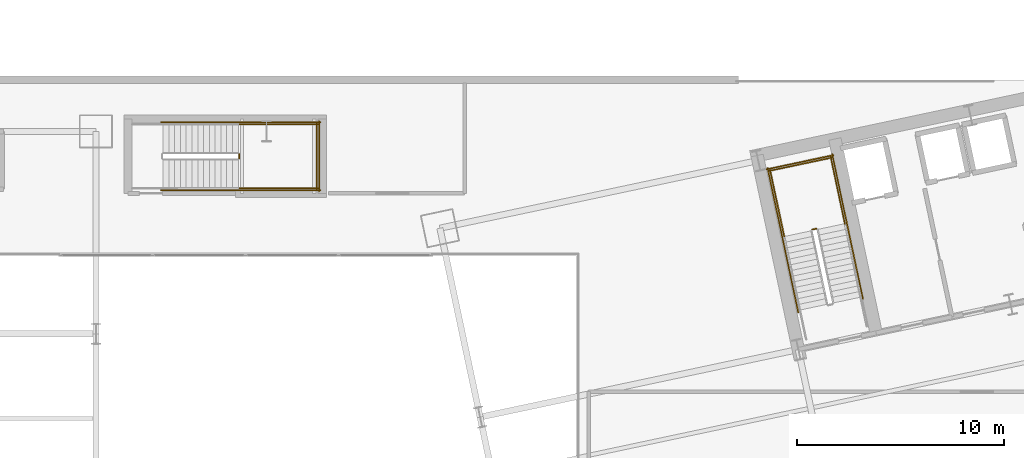
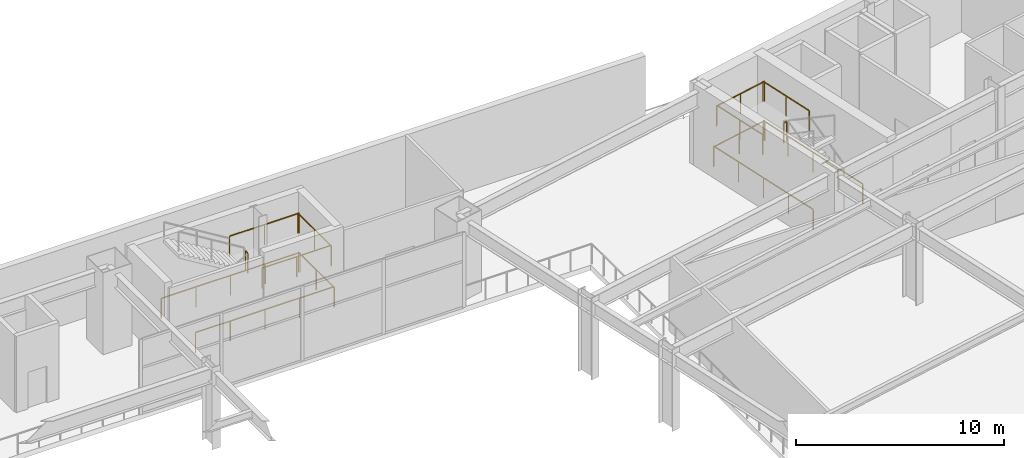
# One storey, part 29 of 30: 14 railings.
"""IFC4 building model written with IfcOpenShell, lengths in metres."""

from ifc_helpers import new_model, si_unit, direction, frame, origin, origin_2d, place, context, subcontext, project, spatial, rectangle, extrude, material, type_object, element, save


model = new_model("IFC4")

# Units and contexts
model_context = context("Model", 3, precision=1e-05, world=origin(), true_north=direction((0.0, 1.0)))
body_context = subcontext(model_context, "Body", "Model", "MODEL_VIEW")
ifc_project = project(units=[si_unit("LENGTHUNIT", "METRE"), si_unit("AREAUNIT", "SQUARE_METRE"), si_unit("VOLUMEUNIT", "CUBIC_METRE"), si_unit("PLANEANGLEUNIT", "RADIAN"), si_unit("MASSUNIT", "GRAM", prefix="KILO")], contexts=[model_context])

# Site, building, storey
site_placement = place(None, origin())
site = spatial("IfcSite", under=ifc_project, at=site_placement, CompositionType="ELEMENT")
building_placement = place(site_placement, origin())
building = spatial("IfcBuilding", under=site, at=building_placement, Name="Haevon Station Towers", CompositionType="ELEMENT")
storey_placement = place(building_placement, frame((0.0, 0.0, 15.60009765625)))
storey = spatial("IfcBuildingStorey", under=building, at=storey_placement, Name="L03", CompositionType="ELEMENT", Elevation=15.60009765625)

# Railings
ifc_material = material(Name="Steel S355", Category="steel")
railing_type = type_object("IfcRailingType", Name="GRD-STR1200", PredefinedType="GUARDRAIL", material=ifc_material)
railing_1_placement = place(storey_placement, frame((99.625244140625, 43.291748046875, 2.39990234375)))
element("IfcRailing", 1, at=railing_1_placement, inside=storey, type_object=railing_type, Name="L03 ST3 Stair Guard 2", PredefinedType="GUARDRAIL", context=body_context, shape_type="SweptSolid", body=[
    extrude(rectangle(XDim=0.048095703125, YDim=0.048095703125, at=origin_2d()), frame((0.0, 0.0, 1.17578125), z_axis=(-0.978211583308, -0.207610448392, 0.0), x_axis=(0.207610448392, -0.978211583308, 0.0)), (0.0, 0.0, 1.0), 0.199951171875),
    extrude(rectangle(XDim=0.0419921875, YDim=0.0419921875, at=origin_2d()), origin(), (0.0, 0.0, 1.0), 1.15185546875),
    extrude(rectangle(XDim=0.0419921875, YDim=0.0419921875, at=origin_2d()), frame((-0.195556640625, -0.04150390625, 0.0)), (0.0, 0.0, 1.0), 1.15185546875),
])
railing_2_placement = place(storey_placement, frame((101.005126953125, 43.533935546875, 2.39990234375)))
element("IfcRailing", 2, at=railing_2_placement, inside=storey, type_object=railing_type, Name="L03 ST3 Stair Guard 3", PredefinedType="GUARDRAIL", context=body_context, shape_type="SweptSolid", body=[
    extrude(rectangle(XDim=0.048095703125, YDim=0.048095703125, at=origin_2d()), frame((0.0, 0.0, 1.17578125), z_axis=(-0.207931975805, 0.978143288807, 0.0), x_axis=(-0.978143288807, -0.207931975805, 0.0)), (0.0, 0.0, 1.0), 3.309814453125),
    extrude(rectangle(XDim=0.0419921875, YDim=0.0419921875, at=origin_2d()), origin(), (0.0, 0.0, 1.0), 1.15185546875),
    extrude(rectangle(XDim=0.0419921875, YDim=0.0419921875, at=origin_2d()), frame((-0.34423828125, 1.61865234375, 0.0)), (0.0, 0.0, 1.0), 1.15185546875),
    extrude(rectangle(XDim=0.0419921875, YDim=0.0419921875, at=origin_2d()), frame((-0.688232421875, 3.237548828125, 0.0)), (0.0, 0.0, 1.0), 1.15185546875),
])
railing_3_placement = place(storey_placement, frame((98.070556640625, 42.91015625, 2.39990234375)))
element("IfcRailing", 3, at=railing_3_placement, inside=storey, type_object=railing_type, Name="L03 ST3 Stair Guard 4", PredefinedType="GUARDRAIL", context=body_context, shape_type="SweptSolid", body=[
    extrude(rectangle(XDim=0.048095703125, YDim=0.048095703125, at=origin_2d()), frame((0.0, 0.0, 1.17578125), z_axis=(-0.207846406048, 0.978161475163, 0.0), x_axis=(-0.978161475163, -0.207846406048, 0.0)), (0.0, 0.0, 1.0), 3.31005859375),
    extrude(rectangle(XDim=0.0419921875, YDim=0.0419921875, at=origin_2d()), origin(), (0.0, 0.0, 1.0), 1.15185546875),
    extrude(rectangle(XDim=0.0419921875, YDim=0.0419921875, at=origin_2d()), frame((-0.343994140625, 1.618896484375, 0.0)), (0.0, 0.0, 1.0), 1.15185546875),
    extrude(rectangle(XDim=0.0419921875, YDim=0.0419921875, at=origin_2d()), frame((-0.68798828125, 3.23779296875, 0.0)), (0.0, 0.0, 1.0), 1.15185546875),
])
railing_4_placement = place(storey_placement, frame((100.376220703125, 46.733154296875, 2.39990234375)))
element("IfcRailing", 4, at=railing_4_placement, inside=storey, type_object=railing_type, Name="L03 ST3 Stair Guard 5", PredefinedType="GUARDRAIL", context=body_context, shape_type="SweptSolid", body=[
    extrude(rectangle(XDim=0.048095703125, YDim=0.048095703125, at=origin_2d()), frame((0.0, 0.0, 1.17578125), z_axis=(-0.978146839882, -0.207915270313, 0.0), x_axis=(0.207915270313, -0.978146839882, 0.0)), (0.0, 0.0, 1.0), 3.099853515625),
    extrude(rectangle(XDim=0.0419921875, YDim=0.0419921875, at=origin_2d()), origin(), (0.0, 0.0, 1.0), 1.15185546875),
    extrude(rectangle(XDim=0.0419921875, YDim=0.0419921875, at=origin_2d()), frame((-1.51611328125, -0.322265625, 0.0)), (0.0, 0.0, 1.0), 1.15185546875),
    extrude(rectangle(XDim=0.0419921875, YDim=0.0419921875, at=origin_2d()), frame((-3.0322265625, -0.64453125, 0.0)), (0.0, 0.0, 1.0), 1.15185546875),
])
railing_5_placement = place(storey_placement, frame((101.88037109375, 39.896484375, 0.0)))
element("IfcRailing", 5, at=railing_5_placement, inside=storey, type_object=railing_type, Name="L03 ST3 Stair Guard 10", PredefinedType="GUARDRAIL", context=body_context, shape_type="SweptSolid", body=[
    extrude(rectangle(XDim=0.048095703125, YDim=0.048095703125, at=origin_2d()), frame((0.0, 0.0, 1.17578125), z_axis=(-0.207882442208, 0.978153817261, 0.0), x_axis=(-0.978153817261, -0.207882442208, 0.0)), (0.0, 0.0, 1.0), 7.14990234375),
    extrude(rectangle(XDim=0.0419921875, YDim=0.0419921875, at=origin_2d()), origin(), (0.0, 0.0, 1.0), 1.15185546875),
    extrude(rectangle(XDim=0.0419921875, YDim=0.0419921875, at=origin_2d()), frame((-0.37158203125, 1.74853515625, 0.0)), (0.0, 0.0, 1.0), 1.15185546875),
    extrude(rectangle(XDim=0.0419921875, YDim=0.0419921875, at=origin_2d()), frame((-0.7431640625, 3.496826171875, 0.0)), (0.0, 0.0, 1.0), 1.15185546875),
    extrude(rectangle(XDim=0.0419921875, YDim=0.0419921875, at=origin_2d()), frame((-1.11474609375, 5.2451171875, 0.0)), (0.0, 0.0, 1.0), 1.15185546875),
    extrude(rectangle(XDim=0.0419921875, YDim=0.0419921875, at=origin_2d()), frame((-1.486328125, 6.99365234375, 0.0)), (0.0, 0.0, 1.0), 1.15185546875),
])
railing_6_placement = place(storey_placement, frame((98.75048828125, 39.231201171875, 0.0)))
element("IfcRailing", 6, at=railing_6_placement, inside=storey, type_object=railing_type, Name="L03 ST3 Stair Guard 11", PredefinedType="GUARDRAIL", context=body_context, shape_type="SweptSolid", body=[
    extrude(rectangle(XDim=0.048095703125, YDim=0.048095703125, at=origin_2d()), frame((0.0, 0.0, 1.17578125), z_axis=(-0.207915112487, 0.978146873429, 0.0), x_axis=(-0.978146873429, -0.207915112487, 0.0)), (0.0, 0.0, 1.0), 7.14990234375),
    extrude(rectangle(XDim=0.0419921875, YDim=0.0419921875, at=origin_2d()), origin(), (0.0, 0.0, 1.0), 1.15185546875),
    extrude(rectangle(XDim=0.0419921875, YDim=0.0419921875, at=origin_2d()), frame((-0.37158203125, 1.74853515625, 0.0)), (0.0, 0.0, 1.0), 1.15185546875),
    extrude(rectangle(XDim=0.0419921875, YDim=0.0419921875, at=origin_2d()), frame((-0.7431640625, 3.496826171875, 0.0)), (0.0, 0.0, 1.0), 1.15185546875),
    extrude(rectangle(XDim=0.0419921875, YDim=0.0419921875, at=origin_2d()), frame((-1.114990234375, 5.2451171875, 0.0)), (0.0, 0.0, 1.0), 1.15185546875),
    extrude(rectangle(XDim=0.0419921875, YDim=0.0419921875, at=origin_2d()), frame((-1.486572265625, 6.99365234375, 0.0)), (0.0, 0.0, 1.0), 1.15185546875),
])
railing_7_placement = place(storey_placement, frame((100.453125, 46.8515625, 0.0)))
element("IfcRailing", 7, at=railing_7_placement, inside=storey, type_object=railing_type, Name="L03 ST3 Stair Guard 12", PredefinedType="GUARDRAIL", context=body_context, shape_type="SweptSolid", body=[
    extrude(rectangle(XDim=0.048095703125, YDim=0.048095703125, at=origin_2d()), frame((0.0, 0.0, 1.17578125), z_axis=(-0.978150764849, -0.207896804268, 0.0), x_axis=(0.207896804268, -0.978150764849, 0.0)), (0.0, 0.0, 1.0), 3.2998046875),
    extrude(rectangle(XDim=0.0419921875, YDim=0.0419921875, at=origin_2d()), origin(), (0.0, 0.0, 1.0), 1.15185546875),
    extrude(rectangle(XDim=0.0419921875, YDim=0.0419921875, at=origin_2d()), frame((-1.61376953125, -0.343017578125, 0.0)), (0.0, 0.0, 1.0), 1.15185546875),
    extrude(rectangle(XDim=0.0419921875, YDim=0.0419921875, at=origin_2d()), frame((-3.227783203125, -0.68603515625, 0.0)), (0.0, 0.0, 1.0), 1.15185546875),
])
railing_8_placement = place(storey_placement, frame((71.68994140625, 46.699951171875, 2.39990234375)))
element("IfcRailing", 8, at=railing_8_placement, inside=storey, type_object=railing_type, Name="L03 ST6 Stair Guard 2", PredefinedType="GUARDRAIL", context=body_context, shape_type="SweptSolid", body=[
    extrude(rectangle(XDim=0.048095703125, YDim=0.048095703125, at=origin_2d()), frame((0.0, 0.0, 1.17578125), z_axis=(0.0, 1.0, 0.0), x_axis=(-1.0, 0.0, 0.0)), (0.0, 0.0, 1.0), 0.199951171875),
    extrude(rectangle(XDim=0.0419921875, YDim=0.0419921875, at=origin_2d()), origin(), (0.0, 0.0, 1.0), 1.15185546875),
    extrude(rectangle(XDim=0.0419921875, YDim=0.0419921875, at=origin_2d()), frame((0.0, 0.199951171875, 0.0)), (0.0, 0.0, 1.0), 1.15185546875),
])
for number, where, name in (
    (9, (71.639892578125, 45.25, 2.39990234375), "L03 ST6 Stair Guard 3"),
    (10, (71.639892578125, 48.35009765625, 2.39990234375), "L03 ST6 Stair Guard 4"),
):
    element("IfcRailing", number, at=place(storey_placement, frame(where)), inside=storey, type_object=railing_type, Name=name, PredefinedType="GUARDRAIL", context=body_context, shape_type="SweptSolid", body=[
        extrude(rectangle(XDim=0.048095703125, YDim=0.048095703125, at=origin_2d()), frame((0.0, 0.0, 1.17578125), z_axis=(1.0, 0.0, 0.0), x_axis=(0.0, 1.0, 0.0)), (0.0, 0.0, 1.0), 3.860107421875),
        extrude(rectangle(XDim=0.0419921875, YDim=0.0419921875, at=origin_2d()), origin(), (0.0, 0.0, 1.0), 1.15185546875),
        extrude(rectangle(XDim=0.0419921875, YDim=0.0419921875, at=origin_2d()), frame((1.93017578125, 0.0, 0.0)), (0.0, 0.0, 1.0), 1.15185546875),
        extrude(rectangle(XDim=0.0419921875, YDim=0.0419921875, at=origin_2d()), frame((3.860107421875, 0.0, 0.0)), (0.0, 0.0, 1.0), 1.15185546875),
    ])
railing_9_placement = place(storey_placement, frame((75.449951171875, 45.199951171875, 2.39990234375)))
element("IfcRailing", 11, at=railing_9_placement, inside=storey, type_object=railing_type, Name="L03 ST6 Stair Guard 5", PredefinedType="GUARDRAIL", context=body_context, shape_type="SweptSolid", body=[
    extrude(rectangle(XDim=0.048095703125, YDim=0.048095703125, at=origin_2d()), frame((0.0, 0.0, 1.17578125), z_axis=(0.0, 1.0, 0.0), x_axis=(-1.0, 0.0, 0.0)), (0.0, 0.0, 1.0), 3.199951171875),
    extrude(rectangle(XDim=0.0419921875, YDim=0.0419921875, at=origin_2d()), origin(), (0.0, 0.0, 1.0), 1.15185546875),
    extrude(rectangle(XDim=0.0419921875, YDim=0.0419921875, at=origin_2d()), frame((0.0, 1.60009765625, 0.0)), (0.0, 0.0, 1.0), 1.15185546875),
    extrude(rectangle(XDim=0.0419921875, YDim=0.0419921875, at=origin_2d()), frame((0.0, 3.199951171875, 0.0)), (0.0, 0.0, 1.0), 1.15185546875),
])
for number, where, name in (
    (12, (67.89990234375, 45.14990234375, 0.0), "L03 ST6 Stair Guard 10"),
    (13, (67.89990234375, 48.449951171875, 0.0), "L03 ST6 Stair Guard 11"),
):
    element("IfcRailing", number, at=place(storey_placement, frame(where)), inside=storey, type_object=railing_type, Name=name, PredefinedType="GUARDRAIL", context=body_context, shape_type="SweptSolid", body=[
        extrude(rectangle(XDim=0.048095703125, YDim=0.048095703125, at=origin_2d()), frame((0.0, 0.0, 1.17578125), z_axis=(1.0, 0.0, 0.0), x_axis=(0.0, 1.0, 0.0)), (0.0, 0.0, 1.0), 7.7001953125),
        extrude(rectangle(XDim=0.0419921875, YDim=0.0419921875, at=origin_2d()), origin(), (0.0, 0.0, 1.0), 1.15185546875),
        extrude(rectangle(XDim=0.0419921875, YDim=0.0419921875, at=origin_2d()), frame((1.925048828125, 0.0, 0.0)), (0.0, 0.0, 1.0), 1.15185546875),
        extrude(rectangle(XDim=0.0419921875, YDim=0.0419921875, at=origin_2d()), frame((3.85009765625, 0.0, 0.0)), (0.0, 0.0, 1.0), 1.15185546875),
        extrude(rectangle(XDim=0.0419921875, YDim=0.0419921875, at=origin_2d()), frame((5.775146484375, 0.0, 0.0)), (0.0, 0.0, 1.0), 1.15185546875),
        extrude(rectangle(XDim=0.0419921875, YDim=0.0419921875, at=origin_2d()), frame((7.7001953125, 0.0, 0.0)), (0.0, 0.0, 1.0), 1.15185546875),
    ])
railing_10_placement = place(storey_placement, frame((75.550048828125, 45.10009765625, 0.0)))
element("IfcRailing", 14, at=railing_10_placement, inside=storey, type_object=railing_type, Name="L03 ST6 Stair Guard 12", PredefinedType="GUARDRAIL", context=body_context, shape_type="SweptSolid", body=[
    extrude(rectangle(XDim=0.048095703125, YDim=0.048095703125, at=origin_2d()), frame((0.0, 0.0, 1.17578125), z_axis=(0.0, 1.0, 0.0), x_axis=(-1.0, 0.0, 0.0)), (0.0, 0.0, 1.0), 3.39990234375),
    extrude(rectangle(XDim=0.0419921875, YDim=0.0419921875, at=origin_2d()), origin(), (0.0, 0.0, 1.0), 1.15185546875),
    extrude(rectangle(XDim=0.0419921875, YDim=0.0419921875, at=origin_2d()), frame((0.0, 1.699951171875, 0.0)), (0.0, 0.0, 1.0), 1.15185546875),
    extrude(rectangle(XDim=0.0419921875, YDim=0.0419921875, at=origin_2d()), frame((0.0, 3.39990234375, 0.0)), (0.0, 0.0, 1.0), 1.15185546875),
])

save(model, "model.ifc")
